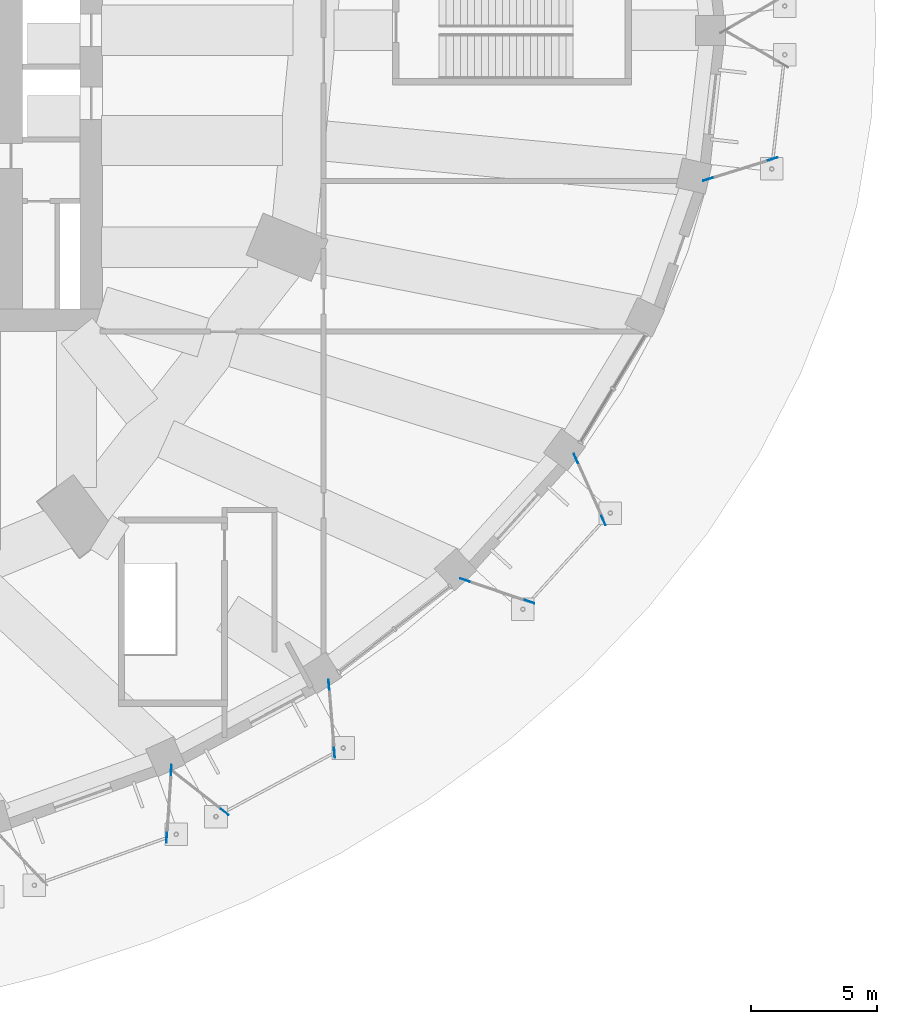
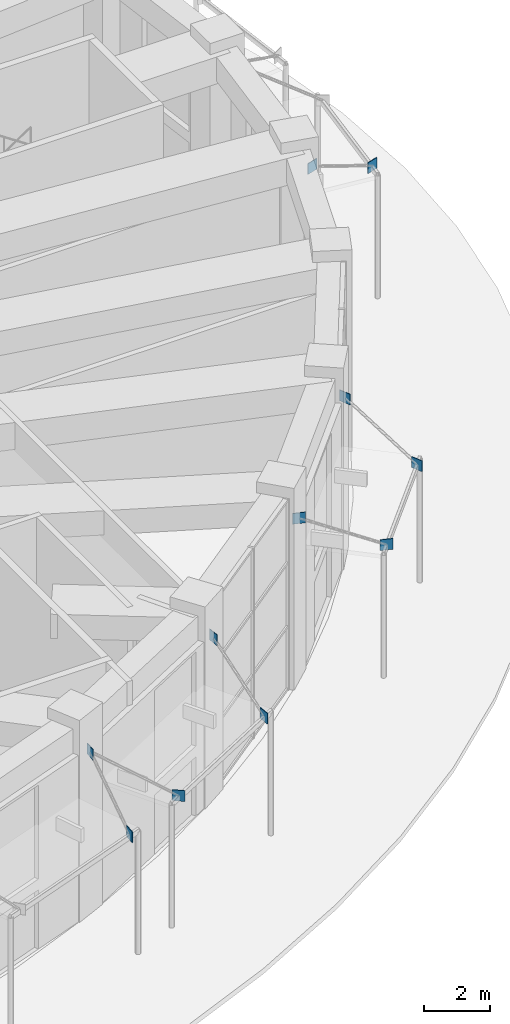
# One storey, part 47 of 60: 11 discrete accessories.
"""IFC4 building model written with IfcOpenShell, lengths in metres."""

import ifcopenshell
import ifcopenshell.guid

model = None  # the IFC model being written
_history = None  # IfcOwnerHistory: only IFC2X3 demands one
_inside = {}  # id of a spatial element -> (the spatial element, [elements in it])
_under = {}  # id of a project, library or spatial element -> (it, [spatial elements below it])
_declared = {}  # id of a project -> (the project, [libraries it declares])
_typed = {}  # id of a type object -> (the type object, [elements of that type])
_made_of = {}  # id of a material, layer set ... -> (it, [elements and type objects made of it])


def new_model(schema):
    """Start an empty IFC model of exactly this schema.

    Asked for "IFC4X3", IfcOpenShell would pick the latest addendum, in which some entities
    have other attributes; the version numbers below select the first issue.
    IFC2X3 requires an IfcOwnerHistory on every rooted entity: one is made here for all.
    """
    global model, _history
    if schema == "IFC4X3":
        model = ifcopenshell.file(schema_version=(4, 3, 0, 0))
    else:
        model = ifcopenshell.file(schema=schema)
    _inside.clear()
    _under.clear()
    _declared.clear()
    _typed.clear()
    _made_of.clear()
    _history = None
    if model.schema == "IFC2X3":
        org = make("IfcOrganization", Name="unknown")
        user = make(
            "IfcPersonAndOrganization",
            ThePerson=make("IfcPerson", FamilyName="unknown"),
            TheOrganization=org,
        )
        app = make(
            "IfcApplication",
            ApplicationDeveloper=org,
            Version="unknown",
            ApplicationFullName="unknown",
            ApplicationIdentifier="unknown",
        )
        _history = make(
            "IfcOwnerHistory",
            OwningUser=user,
            OwningApplication=app,
            ChangeAction="ADDED",
            CreationDate=0,
        )
    return model


def make(cls, **values):
    """One entity of the class cls with the attributes given. An attribute that is None is left unset."""
    return model.create_entity(
        cls, **{name: value for name, value in values.items() if value is not None}
    )


def rooted(cls, **values):
    """An entity with a GlobalId (a new one), such as an element, a storey or a relation."""
    return make(cls, GlobalId=ifcopenshell.guid.new(), OwnerHistory=_history, **values)


def si_unit(unit_type, name, prefix=None):
    """IfcSIUnit, for example si_unit("LENGTHUNIT", "METRE", prefix="MILLI")."""
    return make("IfcSIUnit", UnitType=unit_type, Prefix=prefix, Name=name)


def assignment(units):
    """IfcUnitAssignment: the units of a project."""
    return None if units is None else make("IfcUnitAssignment", Units=units)


def point(xyz):
    """IfcCartesianPoint."""
    return None if xyz is None else make("IfcCartesianPoint", Coordinates=xyz)


def direction(xyz):
    """IfcDirection."""
    return None if xyz is None else make("IfcDirection", DirectionRatios=xyz)


def frame(location, z_axis=None, x_axis=None):
    """IfcAxis2Placement3D, a coordinate frame: its origin and axes. An axis left out is left unset."""
    return make(
        "IfcAxis2Placement3D",
        Location=point(location),
        Axis=direction(z_axis),
        RefDirection=direction(x_axis),
    )


def frame_2d(location, x_axis=None):
    """IfcAxis2Placement2D, a coordinate frame in the plane: its origin and x axis."""
    return make(
        "IfcAxis2Placement2D", Location=point(location), RefDirection=direction(x_axis)
    )


def origin():
    """The frame at (0, 0, 0) with its axes left unset."""
    return frame((0.0, 0.0, 0.0))


def origin_2d():
    """The frame at (0, 0) in the plane with its x axis left unset."""
    return frame_2d((0.0, 0.0))


def place(relative_to, where):
    """IfcLocalPlacement: puts the frame where relative to a parent placement (None: the world)."""
    return make(
        "IfcLocalPlacement", PlacementRelTo=relative_to, RelativePlacement=where
    )


def context(
    kind, dimensions, precision=None, world=None, true_north=None, identifier=None
):
    """IfcGeometricRepresentationContext, for example the 3D "Model" context."""
    return make(
        "IfcGeometricRepresentationContext",
        ContextIdentifier=identifier,
        ContextType=kind,
        CoordinateSpaceDimension=dimensions,
        Precision=precision,
        WorldCoordinateSystem=world,
        TrueNorth=true_north,
    )


def subcontext(parent, identifier, kind, view, scale=None):
    """IfcGeometricRepresentationSubContext, for example "Body" below "Model"."""
    return make(
        "IfcGeometricRepresentationSubContext",
        ContextIdentifier=identifier,
        ContextType=kind,
        ParentContext=parent,
        TargetScale=scale,
        TargetView=view,
    )


def project(units=None, contexts=None):
    """IfcProject with its units and contexts."""
    return rooted(
        "IfcProject",
        Name="project",
        RepresentationContexts=contexts,
        UnitsInContext=assignment(units),
    )


def spatial(cls, under=None, at=None, **own):
    """A site, building, storey or space (cls), placed at a placement, below another one or the project."""
    s = rooted(cls, ObjectPlacement=at, **own)
    if under is not None:
        _under.setdefault(under.id(), (under, []))[1].append(s)
    return s


def profile(cls, at=None, kind="AREA", **sizes):
    """A parametric profile (cls). Its sizes go by their IFC names, for example OverallWidth=200.0."""
    return make(cls, ProfileType=kind, Position=at, **sizes)


def rectangle(**sizes):
    """IfcRectangleProfileDef."""
    return profile("IfcRectangleProfileDef", **sizes)


def extrude(swept, where, along, depth):
    """IfcExtrudedAreaSolid: the profile swept, set in the frame where, extruded along a direction by depth."""
    return make(
        "IfcExtrudedAreaSolid",
        SweptArea=swept,
        Position=where,
        ExtrudedDirection=direction(along),
        Depth=depth,
    )


def shape(context_of_items, identifier, shape_type, items):
    """IfcShapeRepresentation: the items that make up one representation, for example the "Body"."""
    return make(
        "IfcShapeRepresentation",
        ContextOfItems=context_of_items,
        RepresentationIdentifier=identifier,
        RepresentationType=shape_type,
        Items=items,
    )


def material(Name=None, Category=None):
    """IfcMaterial."""
    return make("IfcMaterial", Name=Name, Category=Category)


def made_of(thing, what):
    """Note that an element or type object is made of a material, layer set ...; save() writes the relation."""
    if what is not None:
        _made_of.setdefault(what.id(), (what, []))[1].append(thing)
    return thing


def type_object(cls, material=None, **own):
    """A type object (cls), such as IfcWallType, which elements share."""
    return made_of(rooted(cls, **own), material)


def element(
    cls,
    number,
    at=None,
    inside=None,
    cuts=None,
    type_object=None,
    material=None,
    context=None,
    identifier="Body",
    shape_type=None,
    held_by="IfcProductDefinitionShape",
    body=None,
    shapes=None,
    **own,
):
    """One element of the class cls, such as IfcWall. Its Tag is "e" and its number.

    at: its placement. inside: the storey or other place that contains it. cuts: it is an
    opening in that element (IfcRelVoidsElement). A single representation is given by context,
    identifier, shape_type and body (its items); several are given by shapes. held_by: the class
    of the entity that holds the representations. save() writes the other relations.
    """
    e = rooted(cls, Tag="e%d" % number, ObjectPlacement=at, **own)
    if body is not None:
        shapes = [shape(context, identifier, shape_type, body)]
    if shapes is not None:
        e.Representation = make(held_by, Representations=shapes)
    if inside is not None:
        _inside.setdefault(inside.id(), (inside, []))[1].append(e)
    if cuts is not None:
        rooted(
            "IfcRelVoidsElement", RelatingBuildingElement=cuts, RelatedOpeningElement=e
        )
    if type_object is not None:
        _typed.setdefault(type_object.id(), (type_object, []))[1].append(e)
    return made_of(e, material)


def aggregate(whole, parts):
    """IfcRelAggregates: a whole, such as a stair, and the parts it consists of."""
    return rooted("IfcRelAggregates", RelatingObject=whole, RelatedObjects=parts)


def save(model, path):
    """Write the relations noted so far, then the file.

    IfcRelAggregates (storeys below a building ...), IfcRelContainedInSpatialStructure (elements
    in a storey), IfcRelDefinesByType, IfcRelAssociatesMaterial and IfcRelDeclares: one each for
    every whole, place, type object, material and project.
    """
    for whole, parts in _under.values():
        aggregate(whole, parts)
    for where, things in _inside.values():
        rooted(
            "IfcRelContainedInSpatialStructure",
            RelatedElements=things,
            RelatingStructure=where,
        )
    for kind, things in _typed.values():
        rooted("IfcRelDefinesByType", RelatedObjects=things, RelatingType=kind)
    for what, things in _made_of.values():
        rooted("IfcRelAssociatesMaterial", RelatedObjects=things, RelatingMaterial=what)
    for by, libraries in _declared.values():
        rooted("IfcRelDeclares", RelatingContext=by, RelatedDefinitions=libraries)
    model.write(path)


model = new_model("IFC4")

# Units and contexts
model_context = context("Model", 3, precision=1e-05, world=origin(), true_north=direction((0.0, 1.0)))
body_context = subcontext(model_context, "Body", "Model", "MODEL_VIEW")
ifc_project = project(units=[si_unit("LENGTHUNIT", "METRE"), si_unit("AREAUNIT", "SQUARE_METRE"), si_unit("VOLUMEUNIT", "CUBIC_METRE"), si_unit("PLANEANGLEUNIT", "RADIAN"), si_unit("MASSUNIT", "GRAM", prefix="KILO")], contexts=[model_context])

# Site, building, storey
site_placement = place(None, origin())
site = spatial("IfcSite", under=ifc_project, at=site_placement, CompositionType="ELEMENT")
building_placement = place(site_placement, origin())
building = spatial("IfcBuilding", under=site, at=building_placement, Name="Taillehof Tower", CompositionType="ELEMENT")
storey_placement = place(building_placement, origin())
storey = spatial("IfcBuildingStorey", under=building, at=storey_placement, Name="L00", CompositionType="ELEMENT", Elevation=0.0)

# Discrete accessories
ifc_material = material(Name="Steel S460M", Category="steel")
discrete_accessory_type = type_object("IfcDiscreteAccessoryType", Name="Steel gusset plate", PredefinedType="BRACKET", material=ifc_material)
for number, where, z_axis, x_axis, name in (
    (1, (21.75, -32.14990234375, 4.43994140625), (0.0, 0.0, 1.0), (0.067477222945, 0.997720814849, 0.0), "Gusset plate 048"),
    (2, (21.929931640625, -29.449951171875, 5.800048828125), (0.0, 0.0, 1.0), (0.067477222945, 0.997720814849, 0.0), "Gusset plate 050"),
    (3, (24.06005859375, -31.1201171875, 4.43994140625), (0.0, 0.0, 1.0), (-0.78727306003, 0.616604515838, 0.0), "Gusset plate 052"),
    (4, (28.2099609375, -26.06005859375, 5.800048828125), (0.0, 0.0, 1.0), (-0.081679326265, 0.996658661559, 0.0), "Gusset plate 054"),
    (5, (28.429931640625, -28.760009765625, 4.43994140625), (0.0, 0.0, 1.0), (-0.081679326265, 0.996658661559, 0.0), "Gusset plate 056"),
    (6, (33.6298828125, -21.889892578125, 5.800048828125), (0.0, 0.0, 1.0), (-0.947625803024, 0.319382744437, 0.0), "Gusset plate 058"),
    (7, (36.199951171875, -22.75, 4.43994140625), (0.0, 0.0, 1.0), (-0.947625803024, 0.319382744437, 0.0), "Gusset plate 060"),
    (8, (38.0400390625, -17.0400390625, 5.800048828125), (0.0, 0.0, 1.0), (-0.406758965081, 0.913535518919, 0.0), "Gusset plate 062"),
    (9, (39.139892578125, -19.52001953125, 4.43994140625), (0.0, 0.0, 1.0), (-0.406758965081, 0.913535518919, 0.0), "Gusset plate 064"),
    (10, (43.300048828125, -5.929931640625, 5.800048828125), (0.0, 0.0, 1.0), (-0.954819948549, -0.29718490179, 0.0), "Gusset plate 066"),
    (11, (45.8798828125, -5.1201171875, 4.43994140625), (0.0, 0.0, 1.0), (-0.954819948549, -0.29718490179, 0.0), "Gusset plate 069"),
):
    element("IfcDiscreteAccessory", number, at=place(storey_placement, frame(where, z_axis=z_axis, x_axis=x_axis)), inside=storey, type_object=discrete_accessory_type, Name=name, PredefinedType="BRACKET", context=body_context, shape_type="SweptSolid", body=[
        extrude(rectangle(XDim=0.39990234375, YDim=0.02490234375, at=origin_2d()), origin(), (0.0, 0.0, 1.0), 0.39990234375),
    ])

save(model, "model.ifc")
